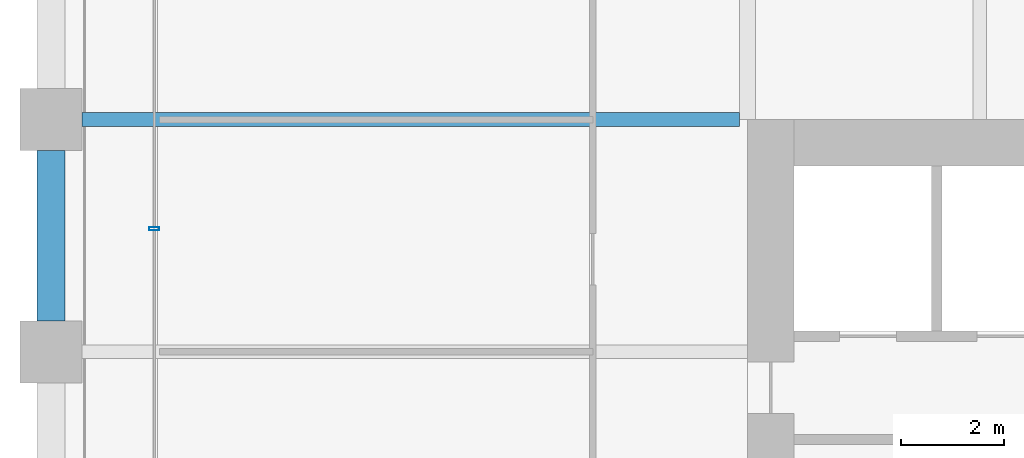
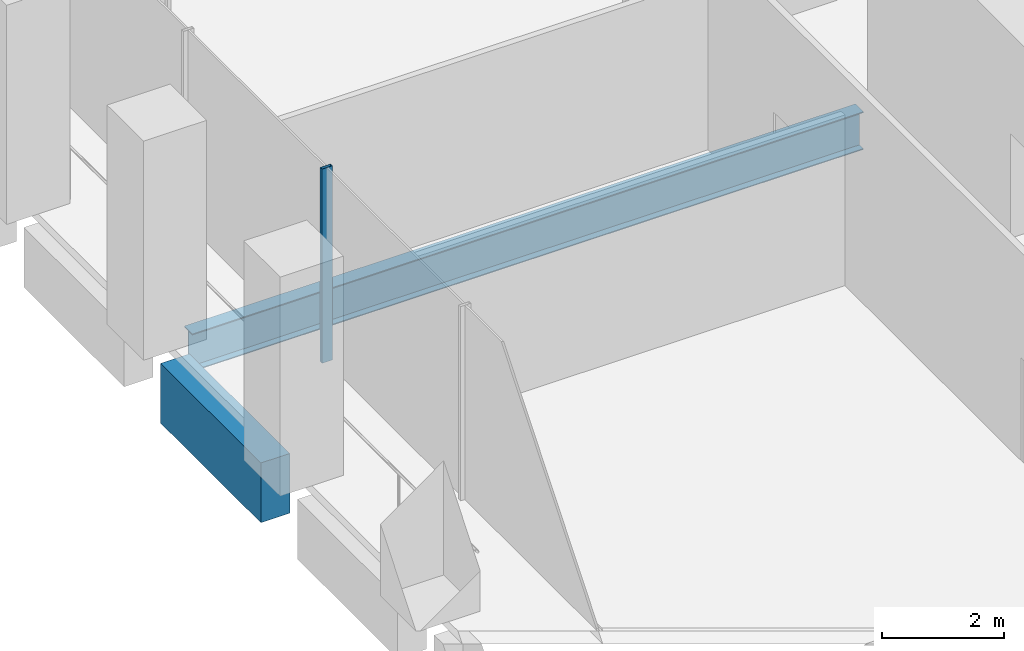
# One storey, part 8 of 36: 2 beams, 1 member, 1 element without a shape of its own.
"""IFC4 building model written with IfcOpenShell, lengths in metres."""

from ifc_helpers import new_model, si_unit, direction, frame, origin, origin_2d, place, context, subcontext, project, spatial, rectangle, hollow_rectangle, i_section, extrude, material, material_profile, profile_set, type_object, element, aggregate, save


model = new_model("IFC4")

# Units and contexts
model_context = context("Model", 3, precision=1e-05, world=origin(), true_north=direction((0.0, 1.0)))
body_context = subcontext(model_context, "Body", "Model", "MODEL_VIEW")
ifc_project = project(units=[si_unit("LENGTHUNIT", "METRE"), si_unit("AREAUNIT", "SQUARE_METRE"), si_unit("VOLUMEUNIT", "CUBIC_METRE"), si_unit("PLANEANGLEUNIT", "RADIAN"), si_unit("MASSUNIT", "GRAM", prefix="KILO")], contexts=[model_context])

# Site, building, storey
site_placement = place(None, origin())
site = spatial("IfcSite", under=ifc_project, at=site_placement, CompositionType="ELEMENT")
building_placement = place(site_placement, origin())
building = spatial("IfcBuilding", under=site, at=building_placement, Name="Altepetl Exchange Towers", CompositionType="ELEMENT")
storey_placement = place(building_placement, frame((0.0, 0.0, 25.39990234375)))
storey = spatial("IfcBuildingStorey", under=building, at=storey_placement, Name="L05", CompositionType="ELEMENT", Elevation=25.39990234375)

# Beam
ifc_material_1 = material(Name="Steel S355", Category="steel")
ifc_material_profile_1 = material_profile(ifc_material_1, i_section(OverallWidth=0.26611328125, OverallDepth=0.758056640625, WebThickness=0.013916015625, FlangeThickness=0.019287109375, at=origin_2d()), Name="W30X108")
ifc_profile_set_1 = profile_set([ifc_material_profile_1], Name="Steel S355")
beam_type_1 = type_object("IfcBeamType", Name="Floor beam W30X108", PredefinedType="BEAM", material=ifc_profile_set_1)
beam_1_placement = place(storey_placement, frame((27.60009765625, 58.5, -0.553955078125), z_axis=(1.0, 0.0, 0.0), x_axis=(0.0, 1.0, 0.0)))
element("IfcBeam", 1, at=beam_1_placement, inside=storey, type_object=beam_type_1, Name="bm:A:L05:021", PredefinedType="BEAM", context=body_context, shape_type="SweptSolid", body=[
    extrude(i_section(OverallWidth=0.26611328125, OverallDepth=0.758056640625, WebThickness=0.013916015625, FlangeThickness=0.019287109375, at=origin_2d()), origin(), (0.0, 0.0, 1.0), 12.745849609375),
])

# Curtain wall, member
ifc_material_2 = material(Name="Aluminium 6063-T6 glazing", Category="aluminium")
curtain_wall_type = type_object("IfcCurtainWallType", Name="Trading floor glazing system", PredefinedType="NOTDEFINED", material=ifc_material_2)
curtain_wall_placement = place(storey_placement, origin())
curtain_wall = element("IfcCurtainWall", 2, at=curtain_wall_placement, inside=storey, type_object=curtain_wall_type, Name="CW2 run", PredefinedType="NOTDEFINED")
ifc_material_3 = material(Name="Aluminium 6063-T6", Category="aluminium")
ifc_material_profile_2 = material_profile(ifc_material_3, hollow_rectangle(XDim=0.06005859375, YDim=0.199951171875, WallThickness=0.0029296875, at=origin_2d()), Name="Mullion 60x200 aluminium")
ifc_profile_set_2 = profile_set([ifc_material_profile_2], Name="Aluminium 6063-T6")
member_type = type_object("IfcMemberType", Name="Mullion 60x200 aluminium", PredefinedType="MULLION", material=ifc_profile_set_2)
member_placement = place(storey_placement, frame((29.0, 56.3857421875, 0.0), z_axis=(0.0, 0.0, 1.0), x_axis=(0.0, -1.0, 0.0)))
member = element("IfcMember", 3, at=member_placement, type_object=member_type, Name="MU2 mullion", PredefinedType="MULLION", context=body_context, shape_type="SweptSolid", body=[
    extrude(hollow_rectangle(XDim=0.06005859375, YDim=0.199951171875, WallThickness=0.0029296875, at=origin_2d()), origin(), (0.0, 0.0, 1.0), 3.900146484375),
])
aggregate(curtain_wall, [member])

# Beam
ifc_material_4 = material(Name="Concrete C50/60 precast with tezontle facing", Category="concrete")
ifc_material_profile_3 = material_profile(ifc_material_4, rectangle(XDim=0.550048828125, YDim=1.199951171875, at=origin_2d()), Name="550 x 1200")
ifc_profile_set_3 = profile_set([ifc_material_profile_3], Name="Concrete C50/60 precast with tezontle facing")
beam_type_2 = type_object("IfcBeamType", Name="Spandrel beam 550x1200 tezontle", PredefinedType="SPANDREL", material=ifc_profile_set_3)
beam_2_placement = place(storey_placement, frame((27.0, 57.89990234375, -0.77490234375), z_axis=(0.0, -1.0, 0.0), x_axis=(1.0, 0.0, 0.0)))
element("IfcBeam", 4, at=beam_2_placement, inside=storey, type_object=beam_type_2, Name="sp:A:L05:038", PredefinedType="SPANDREL", context=body_context, shape_type="SweptSolid", body=[
    extrude(rectangle(XDim=0.550048828125, YDim=1.199951171875, at=origin_2d()), origin(), (0.0, 0.0, 1.0), 3.2998046875),
])

save(model, "model.ifc")
